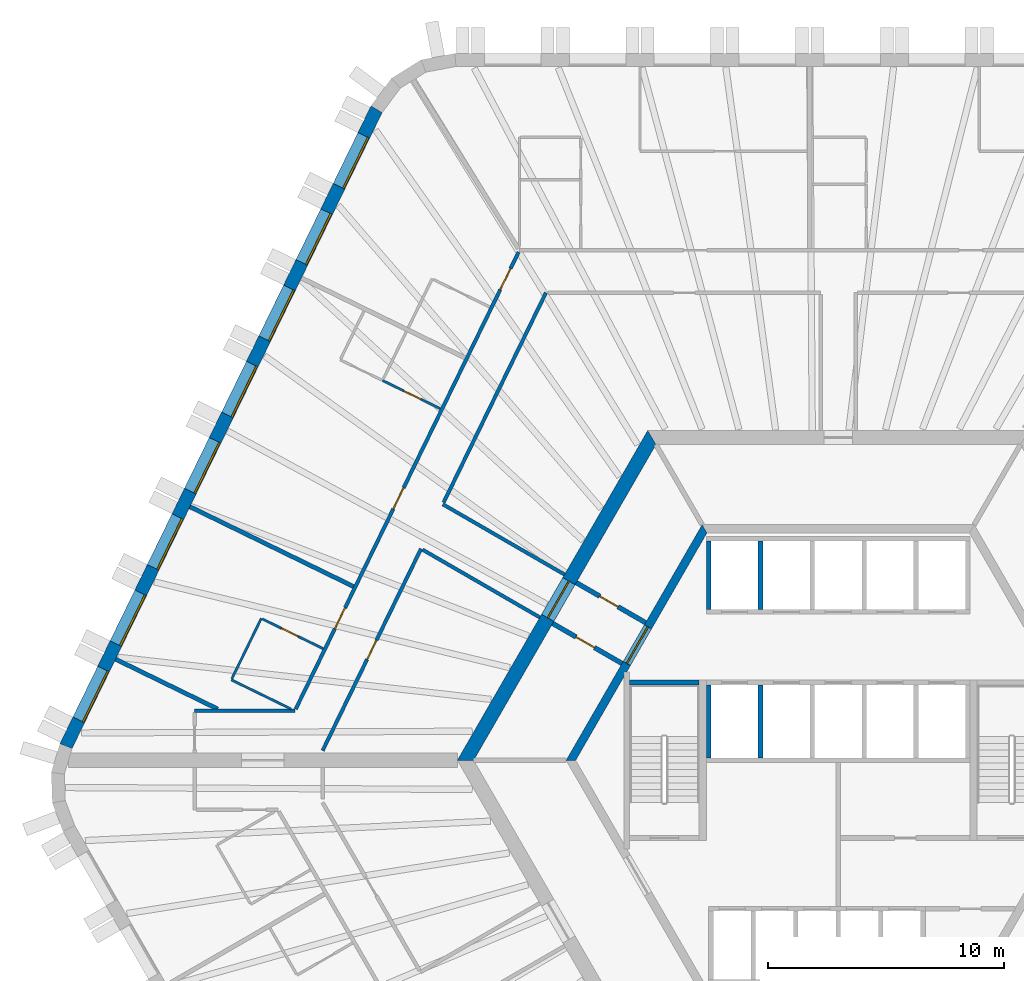
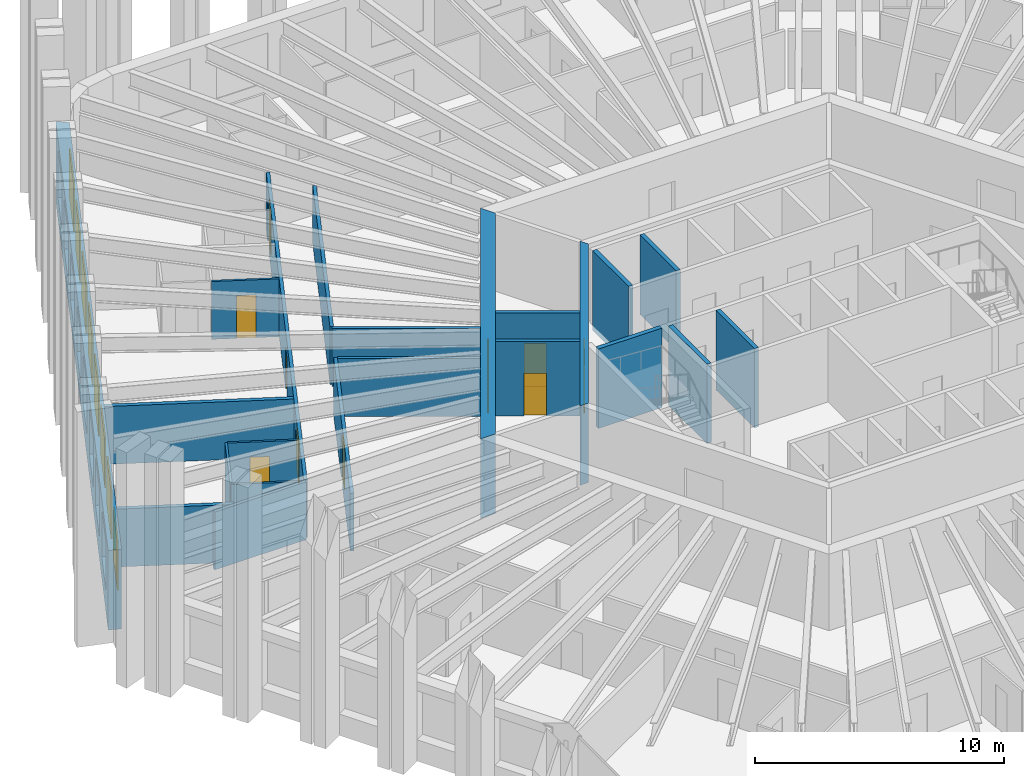
# One storey, part 7 of 13: 22 walls, 10 doors, 8 windows, 18 openings.
"""IFC4 building model written with IfcOpenShell, lengths in metres."""

from ifc_helpers import new_model, si_unit, direction, frame, frame_2d, origin, place, context, subcontext, project, spatial, polyline, rectangle, outline, extrude, material, layer, layer_set, type_object, element, fill, save


model = new_model("IFC4")

# Units and contexts
model_context = context("Model", 3, precision=1e-05, world=origin(), true_north=direction((0.0, 1.0)))
body_context = subcontext(model_context, "Body", "Model", "MODEL_VIEW")
ifc_project = project(units=[si_unit("LENGTHUNIT", "METRE"), si_unit("AREAUNIT", "SQUARE_METRE"), si_unit("VOLUMEUNIT", "CUBIC_METRE"), si_unit("PLANEANGLEUNIT", "RADIAN"), si_unit("MASSUNIT", "GRAM", prefix="KILO")], contexts=[model_context])

# Site, building, storey
site_placement = place(None, origin())
site = spatial("IfcSite", under=ifc_project, at=site_placement, CompositionType="ELEMENT")
building_placement = place(site_placement, origin())
building = spatial("IfcBuilding", under=site, at=building_placement, Name="Tarnside Tower", CompositionType="ELEMENT")
storey_placement = place(building_placement, frame((0.0, 0.0, 135.0)))
storey = spatial("IfcBuildingStorey", under=building, at=storey_placement, Name="L31", CompositionType="ELEMENT", Elevation=135.0)

# Wall, opening, door
ifc_material_1 = material(Name="Gypsum board partition on steel studs", Category="steel")
ifc_layer_1 = layer(ifc_material_1, 0.10009765625)
ifc_layer_set_1 = layer_set([ifc_layer_1], Name="Bathroom wall 100")
wall_type_1 = type_object("IfcWallType", Name="Bathroom wall 100", PredefinedType="PARTITIONING", material=ifc_layer_set_1)
wall_1_placement = place(storey_placement, frame((-16.89111328125, 14.92626953125, 0.0), z_axis=(0.0, 0.0, 1.0), x_axis=(-0.898791692788, 0.43837597217, 0.0)))
wall_1 = element("IfcWall", 1, at=wall_1_placement, inside=storey, type_object=wall_type_1, Name="Bathroom wall 10100", PredefinedType="PARTITIONING", context=body_context, shape_type="SweptSolid", body=[
    extrude(rectangle(XDim=2.72509765625, YDim=0.10009765625, at=frame_2d((1.362548828125, 0.0))), origin(), (0.0, 0.0, 1.0), 2.837890625),
])
opening_1_placement = place(wall_1_placement, frame((0.925048828125, 0.0, 0.0)))
opening_1 = element("IfcOpeningElement", 2, at=opening_1_placement, cuts=wall_1, Name="Opening D-B1", PredefinedType="OPENING", context=body_context, shape_type="SweptSolid", body=[
    extrude(rectangle(XDim=0.800048828125, YDim=2.10009765625, at=frame_2d((0.39990234375, 1.050048828125))), frame((0.0, 0.06005859375, 0.0), z_axis=(0.0, -1.0, 0.0), x_axis=(1.0, 0.0, 0.0)), (0.0, 0.0, 1.0), 0.1201171875),
])
ifc_material_2 = material(Name="Timber door leaf", Category="wood")
door_type_1 = type_object("IfcDoorType", Name="Bathroom door 800", OperationType="NOTDEFINED", PredefinedType="DOOR", material=ifc_material_2)
door_1_placement = place(opening_1_placement, origin())
door_1 = element("IfcDoor", 3, at=door_1_placement, inside=storey, type_object=door_type_1, Name="Bathroom door 10012", OperationType="SINGLE_SWING_RIGHT", OverallHeight=2.10009765625, OverallWidth=0.800048828125, PredefinedType="DOOR", context=body_context, shape_type="SweptSolid", body=[
    extrude(rectangle(XDim=0.800048828125, YDim=2.10009765625, at=frame_2d((0.39990234375, 1.050048828125))), frame((0.0, 0.02490234375, 0.0), z_axis=(0.0, -1.0, 0.0), x_axis=(1.0, 0.0, 0.0)), (0.0, 0.0, 1.0), 0.050048828125),
])
fill(opening_1, door_1)

# Walls
wall_2_placement = place(storey_placement, frame((-23.21728515625, 2.175048828125, 0.0), z_axis=(0.0, 0.0, 1.0), x_axis=(-0.89881903386, 0.438319910991, 0.0)))
element("IfcWall", 4, at=wall_2_placement, inside=storey, type_object=wall_type_1, Name="Bathroom wall 10105", PredefinedType="PARTITIONING", context=body_context, shape_type="SweptSolid", body=[
    extrude(rectangle(XDim=2.828857421875, YDim=0.10009765625, at=frame_2d((1.41455078125, 0.0))), origin(), (0.0, 0.0, 1.0), 2.837890625),
])
wall_3_placement = place(storey_placement, frame((-25.738037109375, 3.4599609375, 0.0), z_axis=(0.0, 0.0, 1.0), x_axis=(0.438317306369, 0.898820304031, 0.0)))
element("IfcWall", 5, at=wall_3_placement, inside=storey, type_object=wall_type_1, Name="Bathroom wall 10106", PredefinedType="PARTITIONING", context=body_context, shape_type="SweptSolid", body=[
    extrude(rectangle(XDim=2.85009765625, YDim=0.10009765625, at=frame_2d((1.425048828125, 0.0))), origin(), (0.0, 0.0, 1.0), 2.837890625),
])

# Wall, opening, door
wall_4_placement = place(storey_placement, frame((-24.44384765625, 5.999755859375, 0.0), z_axis=(0.0, 0.0, 1.0), x_axis=(0.898782318197, -0.438395192145, 0.0)))
wall_4 = element("IfcWall", 6, at=wall_4_placement, inside=storey, type_object=wall_type_1, Name="Bathroom wall 10107", PredefinedType="PARTITIONING", context=body_context, shape_type="SweptSolid", body=[
    extrude(rectangle(XDim=2.875244140625, YDim=0.10009765625, at=frame_2d((1.4375, 0.0))), origin(), (0.0, 0.0, 1.0), 2.837890625),
])
opening_2_placement = place(wall_4_placement, frame((0.89990234375, 0.0, 0.0)))
opening_2 = element("IfcOpeningElement", 7, at=opening_2_placement, cuts=wall_4, Name="Opening D-B1", PredefinedType="OPENING", context=body_context, shape_type="SweptSolid", body=[
    extrude(rectangle(XDim=0.800048828125, YDim=2.10009765625, at=frame_2d((0.39990234375, 1.050048828125))), frame((0.0, 0.06005859375, 0.0), z_axis=(0.0, -1.0, 0.0), x_axis=(1.0, 0.0, 0.0)), (0.0, 0.0, 1.0), 0.1201171875),
])
door_2_placement = place(opening_2_placement, origin())
door_2 = element("IfcDoor", 8, at=door_2_placement, inside=storey, type_object=door_type_1, Name="Bathroom door 10015", OperationType="SINGLE_SWING_RIGHT", OverallHeight=2.10009765625, OverallWidth=0.800048828125, PredefinedType="DOOR", context=body_context, shape_type="SweptSolid", body=[
    extrude(rectangle(XDim=0.800048828125, YDim=2.10009765625, at=frame_2d((0.39990234375, 1.050048828125))), frame((0.0, 0.02490234375, 0.0), z_axis=(0.0, -1.0, 0.0), x_axis=(1.0, 0.0, 0.0)), (0.0, 0.0, 1.0), 0.050048828125),
])
fill(opening_2, door_2)

ifc_material_3 = material(Name="Concrete C50/60", Category="concrete")
ifc_layer_2 = layer(ifc_material_3, 0.35009765625)
ifc_layer_set_2 = layer_set([ifc_layer_2], Name="Core block wall 350 C50/60")
wall_type_2 = type_object("IfcWallType", Name="Core block wall 350 C50/60", PredefinedType="SHEAR", material=ifc_layer_set_2)
wall_5_placement = place(storey_placement, frame((-5.672607421875, 9.824951171875, -0.14990234375), z_axis=(0.0, 0.0, 1.0), x_axis=(-0.499995046907, -0.866028263435, 0.0)))
wall_5 = element("IfcWall", 9, at=wall_5_placement, inside=storey, type_object=wall_type_2, Name="L31 core block wall face 2", PredefinedType="SHEAR", context=body_context, shape_type="SweptSolid", body=[
    extrude(outline(polyline([(-0.10107421875, -0.175048828125), (11.44580078125, -0.175048828125), (11.24365234375, 0.175048828125), (0.10107421875, 0.175048828125), (-0.10107421875, -0.175048828125)])), origin(), (0.0, 0.0, 1.0), 3.89990234375),
])
opening_3_placement = place(wall_5_placement, frame((4.80126953125, 0.0, 0.14990234375)))
opening_3 = element("IfcOpeningElement", 10, at=opening_3_placement, cuts=wall_5, Name="Opening CD-LOB", PredefinedType="OPENING", context=body_context, shape_type="SweptSolid", body=[
    extrude(rectangle(XDim=1.800048828125, YDim=2.39990234375, at=frame_2d((0.89990234375, 1.199951171875))), frame((0.0, 0.18505859375, 0.0), z_axis=(0.0, -1.0, 0.0), x_axis=(1.0, 0.0, 0.0)), (0.0, 0.0, 1.0), 0.3701171875),
])
ifc_material_4 = material(Name="Steel fire door", Category="steel")
door_type_2 = type_object("IfcDoorType", Name="Lobby double door FD30S 1800x2400", OperationType="NOTDEFINED", PredefinedType="DOOR", material=ifc_material_4)
door_3_placement = place(opening_3_placement, origin())
door_3 = element("IfcDoor", 11, at=door_3_placement, inside=storey, type_object=door_type_2, Name="L31 lobby block door P1", OperationType="DOUBLE_DOOR_SINGLE_SWING", OverallHeight=2.39990234375, OverallWidth=1.800048828125, PredefinedType="DOOR", context=body_context, shape_type="SweptSolid", body=[
    extrude(rectangle(XDim=1.800048828125, YDim=2.39990234375, at=frame_2d((0.89990234375, 1.199951171875))), frame((0.0, 0.02490234375, 0.0), z_axis=(0.0, -1.0, 0.0), x_axis=(1.0, 0.0, 0.0)), (0.0, 0.0, 1.0), 0.050048828125),
])
fill(opening_3, door_3)

ifc_material_5 = material(Name="Concrete C40/50", Category="concrete")
ifc_layer_3 = layer(ifc_material_5, 0.199951171875)
ifc_layer_set_3 = layer_set([ifc_layer_3], Name="Core room partition 200 C40/50")
wall_type_3 = type_object("IfcWallType", Name="Core room partition 200 C40/50", PredefinedType="PARTITIONING", material=ifc_layer_set_3)
wall_6_placement = place(storey_placement, frame((-9.1748046875, 4.10888671875, 0.0), z_axis=(0.0, 0.0, 1.0), x_axis=(-0.865989465428, 0.500062241894, 0.0)))
wall_6 = element("IfcWall", 12, at=wall_6_placement, inside=storey, type_object=wall_type_3, Name="L31 core partition AC1L", PredefinedType="PARTITIONING", context=body_context, shape_type="SweptSolid", body=[
    extrude(rectangle(XDim=3.39990234375, YDim=0.199951171875, at=frame_2d((1.699951171875, 0.0))), origin(), (0.0, 0.0, 1.0), 3.64990234375),
])
opening_4_placement = place(wall_6_placement, frame((1.3505859375, 0.0, 0.0)))
opening_4 = element("IfcOpeningElement", 13, at=opening_4_placement, cuts=wall_6, Name="Opening CD-room", PredefinedType="OPENING", context=body_context, shape_type="SweptSolid", body=[
    extrude(rectangle(XDim=0.89990234375, YDim=2.10009765625, at=frame_2d((0.449951171875, 1.050048828125))), frame((0.0, 0.10986328125, 0.0), z_axis=(0.0, -1.0, 0.0), x_axis=(1.0, 0.0, 0.0)), (0.0, 0.0, 1.0), 0.219970703125),
])
door_type_3 = type_object("IfcDoorType", Name="Room door FD60 900x2100", OperationType="NOTDEFINED", PredefinedType="DOOR", material=ifc_material_4)
door_4_placement = place(opening_4_placement, origin())
door_4 = element("IfcDoor", 14, at=door_4_placement, inside=storey, type_object=door_type_3, Name="L31 core room door AX1L", OperationType="SINGLE_SWING_LEFT", OverallHeight=2.10009765625, OverallWidth=0.89990234375, PredefinedType="DOOR", context=body_context, shape_type="SweptSolid", body=[
    extrude(rectangle(XDim=0.89990234375, YDim=2.10009765625, at=frame_2d((0.449951171875, 1.050048828125))), frame((0.0, 0.02490234375, 0.0), z_axis=(0.0, -1.0, 0.0), x_axis=(1.0, 0.0, 0.0)), (0.0, 0.0, 1.0), 0.050048828125),
])
fill(opening_4, door_4)

wall_7_placement = place(storey_placement, frame((-8.1748046875, 5.841064453125, 0.0), z_axis=(0.0, 0.0, 1.0), x_axis=(-0.866020560687, 0.500008388397, 0.0)))
wall_7 = element("IfcWall", 15, at=wall_7_placement, inside=storey, type_object=wall_type_3, Name="L31 core partition AC1R", PredefinedType="PARTITIONING", context=body_context, shape_type="SweptSolid", body=[
    extrude(rectangle(XDim=3.39990234375, YDim=0.199951171875, at=frame_2d((1.699951171875, 0.0))), origin(), (0.0, 0.0, 1.0), 3.64990234375),
])
opening_5_placement = place(wall_7_placement, frame((1.349609375, 0.0, 0.0)))
opening_5 = element("IfcOpeningElement", 16, at=opening_5_placement, cuts=wall_7, Name="Opening CD-room", PredefinedType="OPENING", context=body_context, shape_type="SweptSolid", body=[
    extrude(rectangle(XDim=0.89990234375, YDim=2.10009765625, at=frame_2d((0.449951171875, 1.050048828125))), frame((0.0, 0.10986328125, 0.0), z_axis=(0.0, -1.0, 0.0), x_axis=(1.0, 0.0, 0.0)), (0.0, 0.0, 1.0), 0.219970703125),
])
door_5_placement = place(opening_5_placement, origin())
door_5 = element("IfcDoor", 17, at=door_5_placement, inside=storey, type_object=door_type_3, Name="L31 core room door AX1R", OperationType="SINGLE_SWING_LEFT", OverallHeight=2.10009765625, OverallWidth=0.89990234375, PredefinedType="DOOR", context=body_context, shape_type="SweptSolid", body=[
    extrude(rectangle(XDim=0.89990234375, YDim=2.10009765625, at=frame_2d((0.449951171875, 1.050048828125))), frame((0.0, 0.02490234375, 0.0), z_axis=(0.0, -1.0, 0.0), x_axis=(1.0, 0.0, 0.0)), (0.0, 0.0, 1.0), 0.050048828125),
])
fill(opening_5, door_5)

ifc_material_6 = material(Name="Concrete C80/95", Category="concrete")
ifc_layer_4 = layer(ifc_material_6, 0.60009765625)
ifc_layer_set_4 = layer_set([ifc_layer_4], Name="Core wall Z1 600 C80/95")
wall_type_4 = type_object("IfcWallType", Name="Core wall Z1 600 C80/95", PredefinedType="SHEAR", material=ifc_layer_set_4)
wall_8_placement = place(storey_placement, frame((-7.90966796875, 13.699951171875, -0.14990234375), z_axis=(0.0, 0.0, 1.0), x_axis=(-0.499999880136, -0.866025472988, 0.0)))
wall_8 = element("IfcWall", 18, at=wall_8_placement, inside=storey, type_object=wall_type_4, Name="L31 core wall face 2", PredefinedType="SHEAR", context=body_context, shape_type="SweptSolid", body=[
    extrude(outline(polyline([(-0.17333984375, -0.300048828125), (15.99267578125, -0.300048828125), (15.64599609375, 0.300048828125), (0.17333984375, 0.300048828125), (-0.17333984375, -0.300048828125)])), origin(), (0.0, 0.0, 1.0), 3.89990234375),
])
opening_6_placement = place(wall_8_placement, frame((7.03857421875, 0.0, 0.14990234375)))
opening_6 = element("IfcOpeningElement", 19, at=opening_6_placement, cuts=wall_8, Name="Opening CD-LOB", PredefinedType="OPENING", context=body_context, shape_type="SweptSolid", body=[
    extrude(rectangle(XDim=1.800048828125, YDim=2.39990234375, at=frame_2d((0.89990234375, 1.199951171875))), frame((0.0, 0.31005859375, 0.0), z_axis=(0.0, -1.0, 0.0), x_axis=(1.0, 0.0, 0.0)), (0.0, 0.0, 1.0), 0.6201171875),
])
door_6_placement = place(opening_6_placement, origin())
door_6 = element("IfcDoor", 20, at=door_6_placement, inside=storey, type_object=door_type_2, Name="L31 core door P1", OperationType="DOUBLE_DOOR_SINGLE_SWING", OverallHeight=2.39990234375, OverallWidth=1.800048828125, PredefinedType="DOOR", context=body_context, shape_type="SweptSolid", body=[
    extrude(rectangle(XDim=1.800048828125, YDim=2.39990234375, at=frame_2d((0.89990234375, 1.199951171875))), frame((0.0, 0.02490234375, 0.0), z_axis=(0.0, -1.0, 0.0), x_axis=(1.0, 0.0, 0.0)), (0.0, 0.0, 1.0), 0.050048828125),
])
fill(opening_6, door_6)

# Wall, openings, doors
ifc_layer_5 = layer(ifc_material_1, 0.14990234375)
ifc_layer_set_5 = layer_set([ifc_layer_5], Name="Corridor wall 150 EI 60")
wall_type_5 = type_object("IfcWallType", Name="Corridor wall 150 EI 60", PredefinedType="PARTITIONING", material=ifc_layer_set_5)
wall_9_placement = place(storey_placement, frame((-13.56494140625, 21.574951171875, 0.0), z_axis=(0.0, 0.0, 1.0), x_axis=(-0.438378393111, -0.898790511996, 0.0)))
wall_9 = element("IfcWall", 21, at=wall_9_placement, inside=storey, type_object=wall_type_5, Name="Corridor wall 10007", PredefinedType="PARTITIONING", context=body_context, shape_type="SweptSolid", body=[
    extrude(rectangle(XDim=21.58447265625, YDim=0.14990234375, at=frame_2d((10.792236328125, 0.0))), origin(), (0.0, 0.0, 1.0), 2.837890625),
])
opening_7_placement = place(wall_9_placement, frame((0.775146484375, 0.0, 0.0)))
opening_7 = element("IfcOpeningElement", 22, at=opening_7_placement, cuts=wall_9, Name="Opening D-E1", PredefinedType="OPENING", context=body_context, shape_type="SweptSolid", body=[
    extrude(rectangle(XDim=1.0, YDim=2.10009765625, at=frame_2d((0.5, 1.050048828125))), frame((0.0, 0.0849609375, 0.0), z_axis=(0.0, -1.0, 0.0), x_axis=(1.0, 0.0, 0.0)), (0.0, 0.0, 1.0), 0.169921875),
])
opening_8_placement = place(wall_9_placement, frame((11.1337890625, 0.0, 0.0)))
opening_8 = element("IfcOpeningElement", 23, at=opening_8_placement, cuts=wall_9, Name="Opening D-E1", PredefinedType="OPENING", context=body_context, shape_type="SweptSolid", body=[
    extrude(rectangle(XDim=1.0, YDim=2.10009765625, at=frame_2d((0.5, 1.050048828125))), frame((0.0, 0.0849609375, 0.0), z_axis=(0.0, -1.0, 0.0), x_axis=(1.0, 0.0, 0.0)), (0.0, 0.0, 1.0), 0.169921875),
])
opening_9_placement = place(wall_9_placement, frame((16.80078125, 0.0, 0.0)))
opening_9 = element("IfcOpeningElement", 24, at=opening_9_placement, cuts=wall_9, Name="Opening D-E1", PredefinedType="OPENING", context=body_context, shape_type="SweptSolid", body=[
    extrude(rectangle(XDim=1.0, YDim=2.10009765625, at=frame_2d((0.5, 1.050048828125))), frame((0.0, 0.0849609375, 0.0), z_axis=(0.0, -1.0, 0.0), x_axis=(1.0, 0.0, 0.0)), (0.0, 0.0, 1.0), 0.169921875),
])
door_type_4 = type_object("IfcDoorType", Name="Unit entrance door 1000 FD30S", OperationType="NOTDEFINED", PredefinedType="DOOR", material=ifc_material_2)
door_7_placement = place(opening_7_placement, origin())
door_7 = element("IfcDoor", 25, at=door_7_placement, inside=storey, type_object=door_type_4, Name="Unit door 10009", OperationType="SINGLE_SWING_RIGHT", OverallHeight=2.10009765625, OverallWidth=1.0, PredefinedType="DOOR", context=body_context, shape_type="SweptSolid", body=[
    extrude(rectangle(XDim=1.0, YDim=2.10009765625, at=frame_2d((0.5, 1.050048828125))), frame((0.0, 0.02490234375, 0.0), z_axis=(0.0, -1.0, 0.0), x_axis=(1.0, 0.0, 0.0)), (0.0, 0.0, 1.0), 0.050048828125),
])
fill(opening_7, door_7)
door_8_placement = place(opening_8_placement, origin())
door_8 = element("IfcDoor", 26, at=door_8_placement, inside=storey, type_object=door_type_4, Name="Unit door 10011", OperationType="SINGLE_SWING_LEFT", OverallHeight=2.10009765625, OverallWidth=1.0, PredefinedType="DOOR", context=body_context, shape_type="SweptSolid", body=[
    extrude(rectangle(XDim=1.0, YDim=2.10009765625, at=frame_2d((0.5, 1.050048828125))), frame((0.0, 0.02490234375, 0.0), z_axis=(0.0, -1.0, 0.0), x_axis=(1.0, 0.0, 0.0)), (0.0, 0.0, 1.0), 0.050048828125),
])
fill(opening_8, door_8)
door_9_placement = place(opening_9_placement, origin())
door_9 = element("IfcDoor", 27, at=door_9_placement, inside=storey, type_object=door_type_4, Name="Unit door 10014", OperationType="SINGLE_SWING_RIGHT", OverallHeight=2.10009765625, OverallWidth=1.0, PredefinedType="DOOR", context=body_context, shape_type="SweptSolid", body=[
    extrude(rectangle(XDim=1.0, YDim=2.10009765625, at=frame_2d((0.5, 1.050048828125))), frame((0.0, 0.02490234375, 0.0), z_axis=(0.0, -1.0, 0.0), x_axis=(1.0, 0.0, 0.0)), (0.0, 0.0, 1.0), 0.050048828125),
])
fill(opening_9, door_9)

# Walls
wall_10_placement = place(storey_placement, frame((-23.0634765625, 2.10009765625, 0.0), z_axis=(0.0, 0.0, 1.0), x_axis=(-1.0, 0.0, 0.0)))
element("IfcWall", 28, at=wall_10_placement, inside=storey, type_object=wall_type_5, Name="Corridor wall 10011", PredefinedType="PARTITIONING", context=body_context, shape_type="SweptSolid", body=[
    extrude(rectangle(XDim=4.2568359375, YDim=0.14990234375, at=frame_2d((2.12841796875, 0.0))), origin(), (0.0, 0.0, 1.0), 2.837890625),
])
wall_11_placement = place(storey_placement, frame((-11.61376953125, 7.88427734375, 0.0), z_axis=(0.0, 0.0, 1.0), x_axis=(-0.866017375886, 0.50001390447, 0.0)))
element("IfcWall", 29, at=wall_11_placement, inside=storey, type_object=wall_type_5, Name="Corridor wall 10016", PredefinedType="PARTITIONING", context=body_context, shape_type="SweptSolid", body=[
    extrude(rectangle(XDim=5.969970703125, YDim=0.14990234375, at=frame_2d((2.98486328125, 0.0))), origin(), (0.0, 0.0, 1.0), 2.837890625),
])
wall_12_placement = place(storey_placement, frame((-16.7509765625, 10.936767578125, 0.0), z_axis=(0.0, 0.0, 1.0), x_axis=(0.438378523504, 0.898790448397, 0.0)))
element("IfcWall", 30, at=wall_12_placement, inside=storey, type_object=wall_type_5, Name="Corridor wall 10017", PredefinedType="PARTITIONING", context=body_context, shape_type="SweptSolid", body=[
    extrude(rectangle(XDim=9.9169921875, YDim=0.14990234375, at=frame_2d((4.95849609375, 0.0))), origin(), (0.0, 0.0, 1.0), 2.837890625),
])

# Wall, opening, door
wall_13_placement = place(storey_placement, frame((-21.88525390625, 0.41015625, 0.0), z_axis=(0.0, 0.0, 1.0), x_axis=(0.43837064471, 0.898794291179, 0.0)))
wall_13 = element("IfcWall", 31, at=wall_13_placement, inside=storey, type_object=wall_type_5, Name="Corridor wall 10023", PredefinedType="PARTITIONING", context=body_context, shape_type="SweptSolid", body=[
    extrude(rectangle(XDim=9.53173828125, YDim=0.14990234375, at=frame_2d((4.765869140625, 0.0))), origin(), (0.0, 0.0, 1.0), 2.837890625),
])
opening_10_placement = place(wall_13_placement, frame((4.31591796875, 0.0, 0.0)))
opening_10 = element("IfcOpeningElement", 32, at=opening_10_placement, cuts=wall_13, Name="Opening D-S1", PredefinedType="OPENING", context=body_context, shape_type="SweptSolid", body=[
    extrude(rectangle(XDim=0.89990234375, YDim=2.10009765625, at=frame_2d((0.449951171875, 1.050048828125))), frame((0.0, 0.0849609375, 0.0), z_axis=(0.0, -1.0, 0.0), x_axis=(1.0, 0.0, 0.0)), (0.0, 0.0, 1.0), 0.169921875),
])
door_type_5 = type_object("IfcDoorType", Name="Service room door 900 FD30S", OperationType="NOTDEFINED", PredefinedType="DOOR", material=ifc_material_2)
door_10_placement = place(opening_10_placement, origin())
door_10 = element("IfcDoor", 33, at=door_10_placement, inside=storey, type_object=door_type_5, Name="Service door 10044", OperationType="SINGLE_SWING_RIGHT", OverallHeight=2.10009765625, OverallWidth=0.89990234375, PredefinedType="DOOR", context=body_context, shape_type="SweptSolid", body=[
    extrude(rectangle(XDim=0.89990234375, YDim=2.10009765625, at=frame_2d((0.449951171875, 1.050048828125))), frame((0.0, 0.02490234375, 0.0), z_axis=(0.0, -1.0, 0.0), x_axis=(1.0, 0.0, 0.0)), (0.0, 0.0, 1.0), 0.050048828125),
])
fill(opening_10, door_10)

# Walls
wall_14_placement = place(storey_placement, frame((-17.6416015625, 8.939697265625, 0.0), z_axis=(0.0, 0.0, 1.0), x_axis=(0.866017948234, -0.500012913169, 0.0)))
element("IfcWall", 34, at=wall_14_placement, inside=storey, type_object=wall_type_5, Name="Corridor wall 10024", PredefinedType="PARTITIONING", context=body_context, shape_type="SweptSolid", body=[
    extrude(rectangle(XDim=5.747802734375, YDim=0.14990234375, at=frame_2d((2.8740234375, 0.0))), origin(), (0.0, 0.0, 1.0), 2.837890625),
])
ifc_layer_6 = layer(ifc_material_1, 0.179931640625)
ifc_layer_set_6 = layer_set([ifc_layer_6], Name="Demising wall 180 EI 60")
wall_type_6 = type_object("IfcWallType", Name="Demising wall 180 EI 60", PredefinedType="PARTITIONING", material=ifc_layer_set_6)
wall_15_placement = place(storey_placement, frame((-27.5166015625, 10.762939453125, 0.0), z_axis=(0.0, 0.0, 1.0), x_axis=(0.898789402655, -0.438380667542, 0.0)))
element("IfcWall", 35, at=wall_15_placement, inside=storey, type_object=wall_type_6, Name="Demising wall 10103", PredefinedType="PARTITIONING", context=body_context, shape_type="SweptSolid", body=[
    extrude(rectangle(XDim=7.724853515625, YDim=0.179931640625, at=frame_2d((3.8623046875, 0.0))), origin(), (0.0, 0.0, 1.0), 2.837890625),
])
wall_16_placement = place(storey_placement, frame((-30.673095703125, 4.29150390625, 0.0), z_axis=(0.0, 0.0, 1.0), x_axis=(0.898812662672, -0.438332975512, 0.0)))
element("IfcWall", 36, at=wall_16_placement, inside=storey, type_object=wall_type_6, Name="Demising wall 10108", PredefinedType="PARTITIONING", context=body_context, shape_type="SweptSolid", body=[
    extrude(rectangle(XDim=4.828369140625, YDim=0.179931640625, at=frame_2d((2.4140625, 0.0))), origin(), (0.0, 0.0, 1.0), 2.837890625),
])
ifc_layer_7 = layer(ifc_material_5, 0.199951171875)
ifc_layer_set_7 = layer_set([ifc_layer_7], Name="Lift shaft wall 200 C40/50")
wall_type_7 = type_object("IfcWallType", Name="Lift shaft wall 200 C40/50", PredefinedType="SHEAR", material=ifc_layer_set_7)
for number, where, z_axis, x_axis, name in (
    (37, (-5.5, 6.39990234375, -0.25), (0.0, 0.0, 1.0), (0.0, 1.0, 0.0), "L31 lift shaft partition R11"),
    (38, (-3.300048828125, 6.39990234375, -0.25), (0.0, 0.0, 1.0), (0.0, 1.0, 0.0), "L31 lift shaft partition R12"),
):
    element("IfcWall", number, at=place(storey_placement, frame(where, z_axis=z_axis, x_axis=x_axis)), inside=storey, type_object=wall_type_7, Name=name, PredefinedType="SHEAR", context=body_context, shape_type="SweptSolid", body=[
        extrude(rectangle(XDim=2.900146484375, YDim=0.199951171875, at=frame_2d((1.4501953125, 0.0))), origin(), (0.0, 0.0, 1.0), 3.89990234375),
    ])
for number, where, z_axis, x_axis, name in (
    (39, (-5.5, 0.10009765625, -0.25), (0.0, 0.0, 1.0), (0.0, 1.0, 0.0), "L31 lift shaft partition R21"),
    (40, (-3.300048828125, 0.10009765625, -0.25), (0.0, 0.0, 1.0), (0.0, 1.0, 0.0), "L31 lift shaft partition R22"),
):
    element("IfcWall", number, at=place(storey_placement, frame(where, z_axis=z_axis, x_axis=x_axis)), inside=storey, type_object=wall_type_7, Name=name, PredefinedType="SHEAR", context=body_context, shape_type="SweptSolid", body=[
        extrude(rectangle(XDim=3.099853515625, YDim=0.199951171875, at=frame_2d((1.5498046875, 0.0))), origin(), (0.0, 0.0, 1.0), 3.89990234375),
    ])
wall_17_placement = place(storey_placement, frame((-8.85009765625, 3.300048828125, -0.25), z_axis=(0.0, 0.0, 1.0), x_axis=(1.0, 0.0, 0.0)))
element("IfcWall", 41, at=wall_17_placement, inside=storey, type_object=wall_type_7, Name="L31 stair 2 enclosure cap wall n", PredefinedType="SHEAR", context=body_context, shape_type="SweptSolid", body=[
    extrude(rectangle(XDim=2.9501953125, YDim=0.199951171875, at=frame_2d((1.47509765625, 0.0))), origin(), (0.0, 0.0, 1.0), 3.89990234375),
])

# Wall, openings, windows
ifc_material_7 = material(Name="Facing brick", Category="masonry")
ifc_layer_8 = layer(ifc_material_7, 0.10205078125)
ifc_material_8 = material(Name="Concrete C60/75 precast", Category="concrete")
ifc_layer_9 = layer(ifc_material_8, 0.347900390625)
ifc_material_9 = material(Name="Mineral wool insulation")
ifc_layer_10 = layer(ifc_material_9, 0.10009765625)
ifc_layer_set_8 = layer_set([ifc_layer_8, ifc_layer_9, ifc_layer_10], Name="Tube wall 550 brick faced")
wall_type_8 = type_object("IfcWallType", Name="Tube wall 550 brick faced", PredefinedType="SOLIDWALL", material=ifc_layer_set_8)
wall_18_placement = place(storey_placement, frame((-19.5947265625, 27.6328125, -0.14990234375), z_axis=(0.0, 0.0, 1.0), x_axis=(-0.438368285794, -0.898795441694, 0.0)))
wall_18 = element("IfcWall", 42, at=wall_18_placement, inside=storey, type_object=wall_type_8, Name="Tube wall L31 F2 flush 04", PredefinedType="SOLIDWALL", context=body_context, shape_type="SweptSolid", body=[
    extrude(outline(polyline([(-0.025634765625, -0.27490234375), (30.09326171875, -0.27490234375), (30.04833984375, 0.27490234375), (0.025634765625, 0.27490234375), (-0.025634765625, -0.27490234375)])), origin(), (0.0, 0.0, 1.0), 3.89990234375),
])
opening_11_placement = place(wall_18_placement, frame((1.235595703125, 0.0, 1.050048828125)))
opening_11 = element("IfcOpeningElement", 43, at=opening_11_placement, cuts=wall_18, Name="Opening WH", PredefinedType="OPENING", context=body_context, shape_type="SweptSolid", body=[
    extrude(rectangle(XDim=2.39990234375, YDim=2.39990234375, at=frame_2d((1.199951171875, 1.199951171875))), frame((0.0, 0.28515625, 0.0), z_axis=(0.0, -1.0, 0.0), x_axis=(1.0, 0.0, 0.0)), (0.0, 0.0, 1.0), 0.570068359375),
])
opening_12_placement = place(wall_18_placement, frame((4.83544921875, 0.0, 1.050048828125)))
opening_12 = element("IfcOpeningElement", 44, at=opening_12_placement, cuts=wall_18, Name="Opening WH", PredefinedType="OPENING", context=body_context, shape_type="SweptSolid", body=[
    extrude(rectangle(XDim=2.39990234375, YDim=2.39990234375, at=frame_2d((1.199951171875, 1.199951171875))), frame((0.0, 0.28515625, 0.0), z_axis=(0.0, -1.0, 0.0), x_axis=(1.0, 0.0, 0.0)), (0.0, 0.0, 1.0), 0.570068359375),
])
opening_13_placement = place(wall_18_placement, frame((8.435546875, 0.0, 1.050048828125)))
opening_13 = element("IfcOpeningElement", 45, at=opening_13_placement, cuts=wall_18, Name="Opening WH", PredefinedType="OPENING", context=body_context, shape_type="SweptSolid", body=[
    extrude(rectangle(XDim=2.39990234375, YDim=2.39990234375, at=frame_2d((1.199951171875, 1.199951171875))), frame((0.0, 0.28515625, 0.0), z_axis=(0.0, -1.0, 0.0), x_axis=(1.0, 0.0, 0.0)), (0.0, 0.0, 1.0), 0.570068359375),
])
opening_14_placement = place(wall_18_placement, frame((12.035400390625, 0.0, 1.050048828125)))
opening_14 = element("IfcOpeningElement", 46, at=opening_14_placement, cuts=wall_18, Name="Opening WH", PredefinedType="OPENING", context=body_context, shape_type="SweptSolid", body=[
    extrude(rectangle(XDim=2.39990234375, YDim=2.39990234375, at=frame_2d((1.199951171875, 1.199951171875))), frame((0.0, 0.28515625, 0.0), z_axis=(0.0, -1.0, 0.0), x_axis=(1.0, 0.0, 0.0)), (0.0, 0.0, 1.0), 0.570068359375),
])
opening_15_placement = place(wall_18_placement, frame((15.635498046875, 0.0, 1.050048828125)))
opening_15 = element("IfcOpeningElement", 47, at=opening_15_placement, cuts=wall_18, Name="Opening WH", PredefinedType="OPENING", context=body_context, shape_type="SweptSolid", body=[
    extrude(rectangle(XDim=2.39990234375, YDim=2.39990234375, at=frame_2d((1.199951171875, 1.199951171875))), frame((0.0, 0.28515625, 0.0), z_axis=(0.0, -1.0, 0.0), x_axis=(1.0, 0.0, 0.0)), (0.0, 0.0, 1.0), 0.570068359375),
])
opening_16_placement = place(wall_18_placement, frame((19.235595703125, 0.0, 1.050048828125)))
opening_16 = element("IfcOpeningElement", 48, at=opening_16_placement, cuts=wall_18, Name="Opening WH", PredefinedType="OPENING", context=body_context, shape_type="SweptSolid", body=[
    extrude(rectangle(XDim=2.39990234375, YDim=2.39990234375, at=frame_2d((1.199951171875, 1.199951171875))), frame((0.0, 0.28515625, 0.0), z_axis=(0.0, -1.0, 0.0), x_axis=(1.0, 0.0, 0.0)), (0.0, 0.0, 1.0), 0.570068359375),
])
opening_17_placement = place(wall_18_placement, frame((22.83544921875, 0.0, 1.050048828125)))
opening_17 = element("IfcOpeningElement", 49, at=opening_17_placement, cuts=wall_18, Name="Opening WH", PredefinedType="OPENING", context=body_context, shape_type="SweptSolid", body=[
    extrude(rectangle(XDim=2.39990234375, YDim=2.39990234375, at=frame_2d((1.199951171875, 1.199951171875))), frame((0.0, 0.28515625, 0.0), z_axis=(0.0, -1.0, 0.0), x_axis=(1.0, 0.0, 0.0)), (0.0, 0.0, 1.0), 0.570068359375),
])
opening_18_placement = place(wall_18_placement, frame((26.435546875, 0.0, 1.050048828125)))
opening_18 = element("IfcOpeningElement", 50, at=opening_18_placement, cuts=wall_18, Name="Opening WH", PredefinedType="OPENING", context=body_context, shape_type="SweptSolid", body=[
    extrude(rectangle(XDim=2.39990234375, YDim=2.39990234375, at=frame_2d((1.199951171875, 1.199951171875))), frame((0.0, 0.28515625, 0.0), z_axis=(0.0, -1.0, 0.0), x_axis=(1.0, 0.0, 0.0)), (0.0, 0.0, 1.0), 0.570068359375),
])
ifc_material_10 = material(Name="Aluminium-framed double glazing", Category="aluminium")
window_type = type_object("IfcWindowType", Name="Hotel window 2400 x 2400", PartitioningType="DOUBLE_PANEL_VERTICAL", PredefinedType="WINDOW", material=ifc_material_10)
window_1_placement = place(opening_11_placement, frame((0.0, 0.205078125, 0.0)))
window_1 = element("IfcWindow", 51, at=window_1_placement, inside=storey, type_object=window_type, Name="E.WN.L31.F2.00", OverallHeight=2.39990234375, OverallWidth=2.39990234375, PartitioningType="DOUBLE_PANEL_VERTICAL", PredefinedType="WINDOW", context=body_context, shape_type="SweptSolid", body=[
    extrude(rectangle(XDim=2.39990234375, YDim=2.39990234375, at=frame_2d((1.199951171875, 1.199951171875))), frame((0.0, 0.030029296875, 0.0), z_axis=(0.0, -1.0, 0.0), x_axis=(1.0, 0.0, 0.0)), (0.0, 0.0, 1.0), 0.06005859375),
])
fill(opening_11, window_1)
window_2_placement = place(opening_12_placement, frame((0.0, 0.205078125, 0.0)))
window_2 = element("IfcWindow", 52, at=window_2_placement, inside=storey, type_object=window_type, Name="E.WN.L31.F2.01", OverallHeight=2.39990234375, OverallWidth=2.39990234375, PartitioningType="DOUBLE_PANEL_VERTICAL", PredefinedType="WINDOW", context=body_context, shape_type="SweptSolid", body=[
    extrude(rectangle(XDim=2.39990234375, YDim=2.39990234375, at=frame_2d((1.199951171875, 1.199951171875))), frame((0.0, 0.030029296875, 0.0), z_axis=(0.0, -1.0, 0.0), x_axis=(1.0, 0.0, 0.0)), (0.0, 0.0, 1.0), 0.06005859375),
])
fill(opening_12, window_2)
window_3_placement = place(opening_13_placement, frame((0.0, 0.205078125, 0.0)))
window_3 = element("IfcWindow", 53, at=window_3_placement, inside=storey, type_object=window_type, Name="E.WN.L31.F2.02", OverallHeight=2.39990234375, OverallWidth=2.39990234375, PartitioningType="DOUBLE_PANEL_VERTICAL", PredefinedType="WINDOW", context=body_context, shape_type="SweptSolid", body=[
    extrude(rectangle(XDim=2.39990234375, YDim=2.39990234375, at=frame_2d((1.199951171875, 1.199951171875))), frame((0.0, 0.030029296875, 0.0), z_axis=(0.0, -1.0, 0.0), x_axis=(1.0, 0.0, 0.0)), (0.0, 0.0, 1.0), 0.06005859375),
])
fill(opening_13, window_3)
window_4_placement = place(opening_14_placement, frame((0.0, 0.205078125, 0.0)))
window_4 = element("IfcWindow", 54, at=window_4_placement, inside=storey, type_object=window_type, Name="E.WN.L31.F2.03", OverallHeight=2.39990234375, OverallWidth=2.39990234375, PartitioningType="DOUBLE_PANEL_VERTICAL", PredefinedType="WINDOW", context=body_context, shape_type="SweptSolid", body=[
    extrude(rectangle(XDim=2.39990234375, YDim=2.39990234375, at=frame_2d((1.199951171875, 1.199951171875))), frame((0.0, 0.030029296875, 0.0), z_axis=(0.0, -1.0, 0.0), x_axis=(1.0, 0.0, 0.0)), (0.0, 0.0, 1.0), 0.06005859375),
])
fill(opening_14, window_4)
window_5_placement = place(opening_15_placement, frame((0.0, 0.205078125, 0.0)))
window_5 = element("IfcWindow", 55, at=window_5_placement, inside=storey, type_object=window_type, Name="E.WN.L31.F2.04", OverallHeight=2.39990234375, OverallWidth=2.39990234375, PartitioningType="DOUBLE_PANEL_VERTICAL", PredefinedType="WINDOW", context=body_context, shape_type="SweptSolid", body=[
    extrude(rectangle(XDim=2.39990234375, YDim=2.39990234375, at=frame_2d((1.199951171875, 1.199951171875))), frame((0.0, 0.030029296875, 0.0), z_axis=(0.0, -1.0, 0.0), x_axis=(1.0, 0.0, 0.0)), (0.0, 0.0, 1.0), 0.06005859375),
])
fill(opening_15, window_5)
window_6_placement = place(opening_16_placement, frame((0.0, 0.205078125, 0.0)))
window_6 = element("IfcWindow", 56, at=window_6_placement, inside=storey, type_object=window_type, Name="E.WN.L31.F2.05", OverallHeight=2.39990234375, OverallWidth=2.39990234375, PartitioningType="DOUBLE_PANEL_VERTICAL", PredefinedType="WINDOW", context=body_context, shape_type="SweptSolid", body=[
    extrude(rectangle(XDim=2.39990234375, YDim=2.39990234375, at=frame_2d((1.199951171875, 1.199951171875))), frame((0.0, 0.030029296875, 0.0), z_axis=(0.0, -1.0, 0.0), x_axis=(1.0, 0.0, 0.0)), (0.0, 0.0, 1.0), 0.06005859375),
])
fill(opening_16, window_6)
window_7_placement = place(opening_17_placement, frame((0.0, 0.205078125, 0.0)))
window_7 = element("IfcWindow", 57, at=window_7_placement, inside=storey, type_object=window_type, Name="E.WN.L31.F2.06", OverallHeight=2.39990234375, OverallWidth=2.39990234375, PartitioningType="DOUBLE_PANEL_VERTICAL", PredefinedType="WINDOW", context=body_context, shape_type="SweptSolid", body=[
    extrude(rectangle(XDim=2.39990234375, YDim=2.39990234375, at=frame_2d((1.199951171875, 1.199951171875))), frame((0.0, 0.030029296875, 0.0), z_axis=(0.0, -1.0, 0.0), x_axis=(1.0, 0.0, 0.0)), (0.0, 0.0, 1.0), 0.06005859375),
])
fill(opening_17, window_7)
window_8_placement = place(opening_18_placement, frame((0.0, 0.205078125, 0.0)))
window_8 = element("IfcWindow", 58, at=window_8_placement, inside=storey, type_object=window_type, Name="E.WN.L31.F2.07", OverallHeight=2.39990234375, OverallWidth=2.39990234375, PartitioningType="DOUBLE_PANEL_VERTICAL", PredefinedType="WINDOW", context=body_context, shape_type="SweptSolid", body=[
    extrude(rectangle(XDim=2.39990234375, YDim=2.39990234375, at=frame_2d((1.199951171875, 1.199951171875))), frame((0.0, 0.030029296875, 0.0), z_axis=(0.0, -1.0, 0.0), x_axis=(1.0, 0.0, 0.0)), (0.0, 0.0, 1.0), 0.06005859375),
])
fill(opening_18, window_8)

save(model, "model.ifc")
